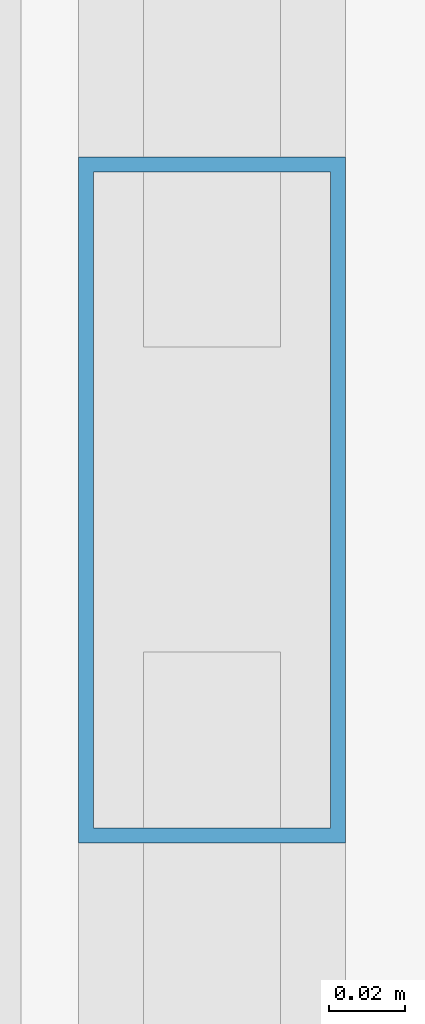
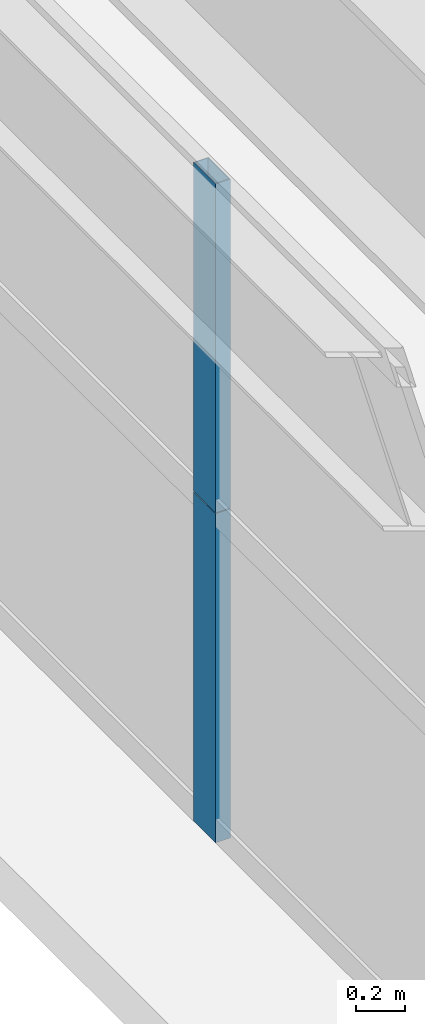
# One storey, part 25 of 45: 2 members, 1 element without a shape of its own.
"""IFC4 building model written with IfcOpenShell, lengths in metres."""

from ifc_helpers import new_model, si_unit, direction, frame, origin, origin_2d, place, context, subcontext, project, spatial, hollow_rectangle, extrude, source, transform, mapped, material, layer, layer_set, material_profile, profile_set, type_object, element, aggregate, save


model = new_model("IFC4")

# Units and contexts
model_context = context("Model", 3, precision=1e-05, world=origin(), true_north=direction((0.0, 1.0)))
body_context = subcontext(model_context, "Body", "Model", "MODEL_VIEW")
ifc_project = project(units=[si_unit("LENGTHUNIT", "METRE"), si_unit("AREAUNIT", "SQUARE_METRE"), si_unit("VOLUMEUNIT", "CUBIC_METRE"), si_unit("PLANEANGLEUNIT", "RADIAN"), si_unit("MASSUNIT", "GRAM", prefix="KILO"), si_unit("THERMODYNAMICTEMPERATUREUNIT", "KELVIN"), si_unit("POWERUNIT", "WATT")], contexts=[model_context])

# Site, building, storey
site_placement = place(None, origin())
site = spatial("IfcSite", under=ifc_project, at=site_placement, CompositionType="ELEMENT")
building_placement = place(site_placement, origin())
building = spatial("IfcBuilding", under=site, at=building_placement, Name="Yuzanri Waterfront Tower", CompositionType="ELEMENT")
storey_placement = place(building_placement, frame((0.0, 0.0, 163.199951171875)))
storey = spatial("IfcBuildingStorey", under=building, at=storey_placement, Name="L43", CompositionType="ELEMENT", Elevation=163.199951171875)

# Curtain wall, members
ifc_material_1 = material(Name="Anodized Architectural Bronze", Category="metal")
ifc_layer = layer(ifc_material_1, 0.159912109375)
ifc_layer_set = layer_set([ifc_layer], Name="Anodized Architectural Bronze")
curtain_wall_type = type_object("IfcCurtainWallType", Name="Anodized Bronze Hotel Upper-Tier Solar-Control Unitized Curtain Wall 7800", PredefinedType="NOTDEFINED", material=ifc_layer_set)
curtain_wall_placement = place(storey_placement, origin())
curtain_wall = element("IfcCurtainWall", 1, at=curtain_wall_placement, inside=storey, type_object=curtain_wall_type, Name="L43 Curtain Wall CW-L43-WR", PredefinedType="NOTDEFINED")
ifc_material_2 = material(Name="Anodized Architectural Bronze", Category="metal")
ifc_material_profile = material_profile(ifc_material_2, hollow_rectangle(XDim=0.070068359375, YDim=0.179931640625, WallThickness=0.00390625, at=origin_2d()), Name="CWM 70x180")
ifc_profile_set = profile_set([ifc_material_profile], Name="Anodized Architectural Bronze")
member_type = type_object("IfcMemberType", Name="Anodized Bronze Standard Curtain-Wall Mullion 70x180", PredefinedType="MULLION", material=ifc_profile_set)
shared_shape = source(origin(), body_context, "Body", "SweptSolid", [
    extrude(hollow_rectangle(XDim=0.070068359375, YDim=0.179931640625, WallThickness=0.00390625, at=origin_2d()), origin(), (0.0, 0.0, 1.0), 1.64794921875),
])
member_1_placement = place(storey_placement, frame((13.550048828125, 34.14990234375, 0.0), z_axis=(0.0, 0.0, 1.0), x_axis=(1.0, 0.0, 0.0)))
member_1 = element("IfcMember", 2, at=member_1_placement, type_object=member_type, Name="CW-L43-WR Lower Mullion 01", PredefinedType="MULLION", context=body_context, shape_type="MappedRepresentation", body=[
    mapped(shared_shape, transform((0.0, 0.0, 0.0), scale=1.0)),
])
member_2_placement = place(storey_placement, frame((13.550048828125, 34.14990234375, 1.652099609375), z_axis=(0.0, 0.0, 1.0), x_axis=(1.0, 0.0, 0.0)))
member_2 = element("IfcMember", 3, at=member_2_placement, type_object=member_type, Name="CW-L43-WR Upper Mullion 01", PredefinedType="MULLION", context=body_context, shape_type="MappedRepresentation", body=[
    mapped(shared_shape, transform((0.0, 0.0, 0.0), scale=1.0)),
])
aggregate(curtain_wall, [member_1, member_2])

save(model, "model.ifc")
